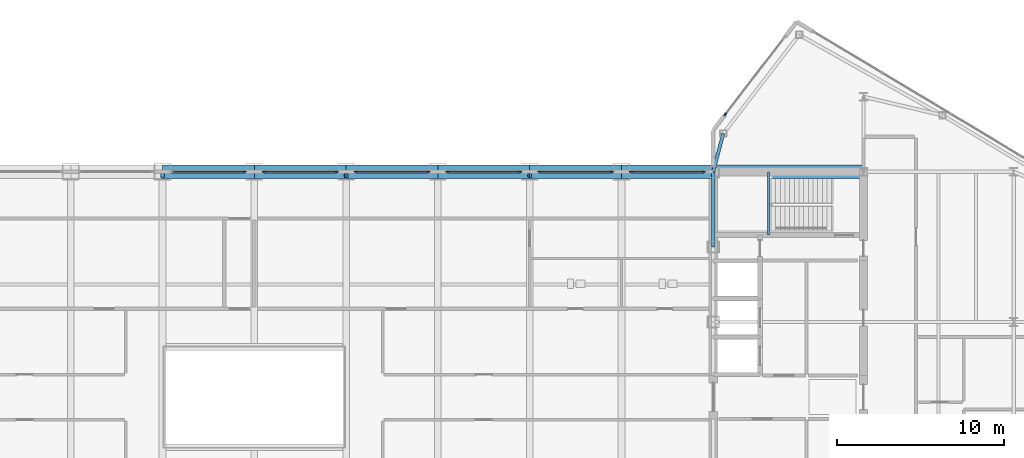
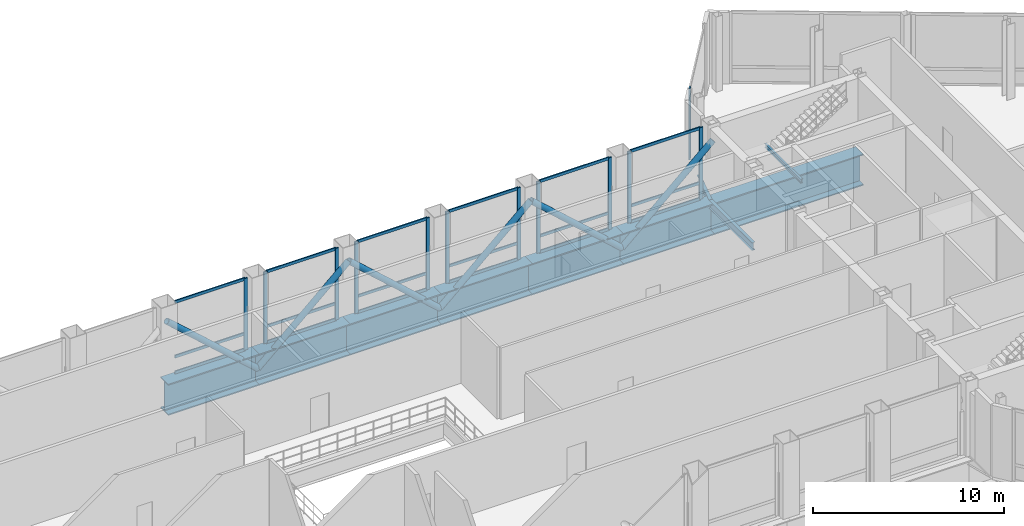
# One storey, part 16 of 30: 36 members, 10 beams, 7 elements without a shape of their own.
"""IFC4 building model written with IfcOpenShell, lengths in metres."""

from ifc_helpers import new_model, si_unit, direction, frame, origin, origin_2d, place, context, subcontext, project, spatial, rectangle, hollow_circle, i_section, extrude, source, transform, mapped, material, layer, layer_set, material_profile, profile_set, type_object, type_shapes, element, aggregate, save


model = new_model("IFC4")

# Units and contexts
model_context = context("Model", 3, precision=1e-05, world=origin(), true_north=direction((0.0, 1.0)))
body_context = subcontext(model_context, "Body", "Model", "MODEL_VIEW")
ifc_project = project(units=[si_unit("LENGTHUNIT", "METRE"), si_unit("AREAUNIT", "SQUARE_METRE"), si_unit("VOLUMEUNIT", "CUBIC_METRE"), si_unit("PLANEANGLEUNIT", "RADIAN"), si_unit("MASSUNIT", "GRAM", prefix="KILO")], contexts=[model_context])

# Site, building, storey
site_placement = place(None, origin())
site = spatial("IfcSite", under=ifc_project, at=site_placement, CompositionType="ELEMENT")
building_placement = place(site_placement, origin())
building = spatial("IfcBuilding", under=site, at=building_placement, Name="Seokmaru Belvedere", CompositionType="ELEMENT")
storey_placement = place(building_placement, frame((0.0, 0.0, 234.60009765625)))
storey = spatial("IfcBuildingStorey", under=building, at=storey_placement, Name="L62", CompositionType="ELEMENT", Elevation=234.60009765625)

# Beams
ifc_material_1 = material(Name="Steel SM355 (355 MPa)", Category="steel")
ifc_material_profile_1 = material_profile(ifc_material_1, i_section(OverallWidth=0.199951171875, OverallDepth=0.5, WebThickness=0.010009765625, FlangeThickness=0.01611328125, at=origin_2d()), Name="H-500x200x10x16")
ifc_profile_set_1 = profile_set([ifc_material_profile_1], Name="Steel SM355 (355 MPa)")
beam_type_1 = type_object("IfcBeamType", Name="Perimeter Spandrel Beam H-500", PredefinedType="SPANDREL", material=ifc_profile_set_1)
shared_shape_1 = source(origin(), body_context, "Body", "SweptSolid", [
    extrude(i_section(OverallWidth=0.199951171875, OverallDepth=0.5, WebThickness=0.010009765625, FlangeThickness=0.01611328125, at=origin_2d()), origin(), (0.0, 0.0, 1.0), 4.5),
])
beam_1_placement = place(storey_placement, frame((27.5, 9.0, -0.510009765625), z_axis=(0.0, 1.0, 0.0), x_axis=(-1.0, 0.0, 0.0)))
element("IfcBeam", 1, at=beam_1_placement, inside=storey, type_object=beam_type_1, Name="L62 E Portal Spine Spandrel 5", PredefinedType="SPANDREL", context=body_context, shape_type="MappedRepresentation", body=[
    mapped(shared_shape_1, transform((0.0, 0.0, 0.0), scale=1.0)),
])
shared_shape_2 = source(origin(), body_context, "Body", "SweptSolid", [
    extrude(i_section(OverallWidth=0.199951171875, OverallDepth=0.5, WebThickness=0.010009765625, FlangeThickness=0.01611328125, at=origin_2d()), origin(), (0.0, 0.0, 1.0), 2.373046875),
])
type_shapes(beam_type_1, [shared_shape_1, shared_shape_2])
beam_2_placement = place(storey_placement, frame((28.10009765625, 15.7958984375, -0.510009765625), z_axis=(-0.252882558842, -0.967496982648, 0.0), x_axis=(0.967496982648, -0.252882558842, 0.0)))
element("IfcBeam", 2, at=beam_2_placement, inside=storey, type_object=beam_type_1, Name="L62 E Shoulder Spine Spandrel N", PredefinedType="SPANDREL", context=body_context, shape_type="MappedRepresentation", body=[
    mapped(shared_shape_2, transform((0.0, 0.0, 0.0), scale=1.0)),
])
ifc_material_2 = material(Name="Steel HSA650 (650 MPa)", Category="steel")
ifc_material_profile_2 = material_profile(ifc_material_2, i_section(OverallWidth=0.800048828125, OverallDepth=2.0, WebThickness=0.0400390625, FlangeThickness=0.070068359375, at=origin_2d()), Name="BH-2000x800x40x70")
ifc_profile_set_2 = profile_set([ifc_material_profile_2], Name="Steel HSA650 (650 MPa)")
beam_type_2 = type_object("IfcBeamType", Name="Sky-Gate Transfer Truss Chord Girder BH-2000", PredefinedType="BEAM", material=ifc_profile_set_2)
shared_shape_3 = source(origin(), body_context, "Body", "SweptSolid", [
    extrude(i_section(OverallWidth=0.800048828125, OverallDepth=2.0, WebThickness=0.0400390625, FlangeThickness=0.070068359375, at=origin_2d()), origin(), (0.0, 0.0, 1.0), 9.0),
])
beam_3_placement = place(storey_placement, frame((27.5, 13.5, -1.260009765625), z_axis=(1.0, 0.0, 0.0), x_axis=(0.0, 1.0, 0.0)))
element("IfcBeam", 3, at=beam_3_placement, inside=storey, type_object=beam_type_2, Name="L62 Sky-Gate Transfer Truss Chord N-12", PredefinedType="BEAM", context=body_context, shape_type="MappedRepresentation", body=[
    mapped(shared_shape_3, transform((0.0, 0.0, 0.0), scale=1.0)),
])
shared_shape_4 = source(origin(), body_context, "Body", "SweptSolid", [
    extrude(i_section(OverallWidth=0.800048828125, OverallDepth=2.0, WebThickness=0.0400390625, FlangeThickness=0.070068359375, at=origin_2d()), origin(), (0.0, 0.0, 1.0), 5.5),
])
type_shapes(beam_type_2, [shared_shape_3, shared_shape_4])
for number, where, z_axis, x_axis, name in (
    (4, (-5.5, 13.5, -1.260009765625), (1.0, 0.0, 0.0), (0.0, 1.0, 0.0), "L62 Sky-Gate Transfer Truss Chord N-06"),
    (5, (0.0, 13.5, -1.260009765625), (1.0, 0.0, 0.0), (0.0, 1.0, 0.0), "L62 Sky-Gate Transfer Truss Chord N-07"),
    (6, (5.5, 13.5, -1.260009765625), (1.0, 0.0, 0.0), (0.0, 1.0, 0.0), "L62 Sky-Gate Transfer Truss Chord N-08"),
    (7, (11.0, 13.5, -1.260009765625), (1.0, 0.0, 0.0), (0.0, 1.0, 0.0), "L62 Sky-Gate Transfer Truss Chord N-09"),
    (8, (16.5, 13.5, -1.260009765625), (1.0, 0.0, 0.0), (0.0, 1.0, 0.0), "L62 Sky-Gate Transfer Truss Chord N-10"),
    (9, (22.0, 13.5, -1.260009765625), (1.0, 0.0, 0.0), (0.0, 1.0, 0.0), "L62 Sky-Gate Transfer Truss Chord N-11"),
):
    element("IfcBeam", number, at=place(storey_placement, frame(where, z_axis=z_axis, x_axis=x_axis)), inside=storey, type_object=beam_type_2, Name=name, PredefinedType="BEAM", context=body_context, shape_type="MappedRepresentation", body=[
        mapped(shared_shape_4, transform((0.0, 0.0, 0.0), scale=1.0)),
    ])

# Members
ifc_material_profile_3 = material_profile(ifc_material_2, hollow_circle(Radius=0.177734375, WallThickness=0.0126953125, at=origin_2d()), Name="CHS-355.6x12.7")
ifc_profile_set_3 = profile_set([ifc_material_profile_3], Name="Steel HSA650 (650 MPa)")
member_type_1 = type_object("IfcMemberType", Name="Sky-Gate Transfer Truss Secondary Brace CHS-356", PredefinedType="BRACE", material=ifc_profile_set_3)
shared_shape_5 = source(origin(), body_context, "Body", "SweptSolid", [
    extrude(hollow_circle(Radius=0.177734375, WallThickness=0.0126953125, at=origin_2d()), origin(), (0.0, 0.0, 1.0), 7.392822265625),
])
type_shapes(member_type_1, [shared_shape_5])
for number, where, z_axis, x_axis, name in (
    (10, (-5.5, 13.27099609375, 3.679931640625), (0.743970307126, 0.0, -0.668212677308), (0.0, 1.0, 0.0), "L62 Sky-Gate Transfer Truss Web Diagonal N-05"),
    (11, (0.0, 13.27099609375, -1.260009765625), (0.743970307126, 0.0, 0.668212677308), (0.0, 1.0, 0.0), "L62 Sky-Gate Transfer Truss Web Diagonal N-06"),
    (12, (5.5, 13.27099609375, 3.679931640625), (0.743970307126, 0.0, -0.668212677308), (0.0, 1.0, 0.0), "L62 Sky-Gate Transfer Truss Web Diagonal N-07"),
    (13, (11.0, 13.27099609375, -1.260009765625), (0.743970307126, 0.0, 0.668212677308), (0.0, 1.0, 0.0), "L62 Sky-Gate Transfer Truss Web Diagonal N-08"),
    (14, (16.5, 13.27099609375, 3.679931640625), (0.743970307126, 0.0, -0.668212677308), (0.0, 1.0, 0.0), "L62 Sky-Gate Transfer Truss Web Diagonal N-09"),
    (15, (22.0, 13.27099609375, -1.260009765625), (0.743970307126, 0.0, 0.668212677308), (0.0, 1.0, 0.0), "L62 Sky-Gate Transfer Truss Web Diagonal N-10"),
):
    element("IfcMember", number, at=place(storey_placement, frame(where, z_axis=z_axis, x_axis=x_axis)), inside=storey, type_object=member_type_1, Name=name, PredefinedType="BRACE", context=body_context, shape_type="MappedRepresentation", body=[
        mapped(shared_shape_5, transform((0.0, 0.0, 0.0), scale=1.0)),
    ])

# Curtain wall, members
ifc_material_3 = material(Name="Bronze Triple Insulating Glass", Category="glass")
ifc_layer = layer(ifc_material_3, 0.219970703125)
ifc_layer_set = layer_set([ifc_layer], Name="Bronze Triple Insulating Glass")
curtain_wall_type = type_object("IfcCurtainWallType", Name="Sky-Gate Bridge Panorama Curtain Wall System CW-6", PredefinedType="NOTDEFINED", material=ifc_layer_set)
curtain_wall_1_placement = place(storey_placement, origin())
curtain_wall_1 = element("IfcCurtainWall", 16, at=curtain_wall_1_placement, inside=storey, type_object=curtain_wall_type, Name="L62 Curtain Wall BR_N05", PredefinedType="NOTDEFINED")
ifc_material_4 = material(Name="Anodised Bronze Aluminium", Category="aluminium")
ifc_material_profile_4 = material_profile(ifc_material_4, rectangle(XDim=0.074951171875, YDim=0.179931640625, at=origin_2d()), Name="CW-T-75x180")
ifc_profile_set_4 = profile_set([ifc_material_profile_4], Name="Anodised Bronze Aluminium")
member_type_2 = type_object("IfcMemberType", Name="Bronze Unitised Transom 75x180", PredefinedType="USERDEFINED", material=ifc_profile_set_4)
shared_shape_6 = source(origin(), body_context, "Body", "SweptSolid", [
    extrude(rectangle(XDim=0.074951171875, YDim=0.179931640625, at=origin_2d()), origin(), (0.0, 0.0, 1.0), 4.240234375),
])
type_shapes(member_type_2, [shared_shape_6])
member_1_placement = place(storey_placement, frame((-0.6298828125, 13.5, 0.037353515625), z_axis=(-1.0, 0.0, 0.0), x_axis=(0.0, -1.0, 0.0)))
member_1 = element("IfcMember", 17, at=member_1_placement, type_object=member_type_2, Name="CW:L62:BR_N05 Continuous Transom 1", ObjectType="TRANSOM", PredefinedType="USERDEFINED", context=body_context, shape_type="MappedRepresentation", body=[
    mapped(shared_shape_6, transform((0.0, 0.0, 0.0), scale=1.0)),
])
member_2_placement = place(storey_placement, frame((-0.6298828125, 13.5, 4.54248046875), z_axis=(-1.0, 0.0, 0.0), x_axis=(0.0, -1.0, 0.0)))
member_2 = element("IfcMember", 18, at=member_2_placement, type_object=member_type_2, Name="CW:L62:BR_N05 Continuous Transom 2", ObjectType="TRANSOM", PredefinedType="USERDEFINED", context=body_context, shape_type="MappedRepresentation", body=[
    mapped(shared_shape_6, transform((0.0, 0.0, 0.0), scale=1.0)),
])
member_3_placement = place(storey_placement, frame((-0.6298828125, 13.5, 1.0498046875), z_axis=(-1.0, 0.0, 0.0), x_axis=(0.0, -1.0, 0.0)))
member_3 = element("IfcMember", 19, at=member_3_placement, type_object=member_type_2, Name="CW:L62:BR_N05 Spandrel Transom 1", ObjectType="TRANSOM", PredefinedType="USERDEFINED", context=body_context, shape_type="MappedRepresentation", body=[
    mapped(shared_shape_6, transform((0.0, 0.0, 0.0), scale=1.0)),
])

curtain_wall_2_placement = place(storey_placement, origin())
curtain_wall_2 = element("IfcCurtainWall", 20, at=curtain_wall_2_placement, inside=storey, type_object=curtain_wall_type, Name="L62 Curtain Wall BR_N06", PredefinedType="NOTDEFINED")
member_4_placement = place(storey_placement, frame((4.8701171875, 13.5, 0.037353515625), z_axis=(-1.0, 0.0, 0.0), x_axis=(0.0, -1.0, 0.0)))
member_4 = element("IfcMember", 21, at=member_4_placement, type_object=member_type_2, Name="CW:L62:BR_N06 Continuous Transom 1", ObjectType="TRANSOM", PredefinedType="USERDEFINED", context=body_context, shape_type="MappedRepresentation", body=[
    mapped(shared_shape_6, transform((0.0, 0.0, 0.0), scale=1.0)),
])
member_5_placement = place(storey_placement, frame((4.8701171875, 13.5, 4.54248046875), z_axis=(-1.0, 0.0, 0.0), x_axis=(0.0, -1.0, 0.0)))
member_5 = element("IfcMember", 22, at=member_5_placement, type_object=member_type_2, Name="CW:L62:BR_N06 Continuous Transom 2", ObjectType="TRANSOM", PredefinedType="USERDEFINED", context=body_context, shape_type="MappedRepresentation", body=[
    mapped(shared_shape_6, transform((0.0, 0.0, 0.0), scale=1.0)),
])
member_6_placement = place(storey_placement, frame((4.8701171875, 13.5, 1.0498046875), z_axis=(-1.0, 0.0, 0.0), x_axis=(0.0, -1.0, 0.0)))
member_6 = element("IfcMember", 23, at=member_6_placement, type_object=member_type_2, Name="CW:L62:BR_N06 Spandrel Transom 1", ObjectType="TRANSOM", PredefinedType="USERDEFINED", context=body_context, shape_type="MappedRepresentation", body=[
    mapped(shared_shape_6, transform((0.0, 0.0, 0.0), scale=1.0)),
])

curtain_wall_3_placement = place(storey_placement, origin())
curtain_wall_3 = element("IfcCurtainWall", 24, at=curtain_wall_3_placement, inside=storey, type_object=curtain_wall_type, Name="L62 Curtain Wall BR_N07", PredefinedType="NOTDEFINED")
member_7_placement = place(storey_placement, frame((10.3701171875, 13.5, 0.037353515625), z_axis=(-1.0, 0.0, 0.0), x_axis=(0.0, -1.0, 0.0)))
member_7 = element("IfcMember", 25, at=member_7_placement, type_object=member_type_2, Name="CW:L62:BR_N07 Continuous Transom 1", ObjectType="TRANSOM", PredefinedType="USERDEFINED", context=body_context, shape_type="MappedRepresentation", body=[
    mapped(shared_shape_6, transform((0.0, 0.0, 0.0), scale=1.0)),
])
member_8_placement = place(storey_placement, frame((10.3701171875, 13.5, 4.54248046875), z_axis=(-1.0, 0.0, 0.0), x_axis=(0.0, -1.0, 0.0)))
member_8 = element("IfcMember", 26, at=member_8_placement, type_object=member_type_2, Name="CW:L62:BR_N07 Continuous Transom 2", ObjectType="TRANSOM", PredefinedType="USERDEFINED", context=body_context, shape_type="MappedRepresentation", body=[
    mapped(shared_shape_6, transform((0.0, 0.0, 0.0), scale=1.0)),
])
member_9_placement = place(storey_placement, frame((10.3701171875, 13.5, 1.0498046875), z_axis=(-1.0, 0.0, 0.0), x_axis=(0.0, -1.0, 0.0)))
member_9 = element("IfcMember", 27, at=member_9_placement, type_object=member_type_2, Name="CW:L62:BR_N07 Spandrel Transom 1", ObjectType="TRANSOM", PredefinedType="USERDEFINED", context=body_context, shape_type="MappedRepresentation", body=[
    mapped(shared_shape_6, transform((0.0, 0.0, 0.0), scale=1.0)),
])

curtain_wall_4_placement = place(storey_placement, origin())
curtain_wall_4 = element("IfcCurtainWall", 28, at=curtain_wall_4_placement, inside=storey, type_object=curtain_wall_type, Name="L62 Curtain Wall BR_N08", PredefinedType="NOTDEFINED")
member_10_placement = place(storey_placement, frame((15.8701171875, 13.5, 0.037353515625), z_axis=(-1.0, 0.0, 0.0), x_axis=(0.0, -1.0, 0.0)))
member_10 = element("IfcMember", 29, at=member_10_placement, type_object=member_type_2, Name="CW:L62:BR_N08 Continuous Transom 1", ObjectType="TRANSOM", PredefinedType="USERDEFINED", context=body_context, shape_type="MappedRepresentation", body=[
    mapped(shared_shape_6, transform((0.0, 0.0, 0.0), scale=1.0)),
])
member_11_placement = place(storey_placement, frame((15.8701171875, 13.5, 4.54248046875), z_axis=(-1.0, 0.0, 0.0), x_axis=(0.0, -1.0, 0.0)))
member_11 = element("IfcMember", 30, at=member_11_placement, type_object=member_type_2, Name="CW:L62:BR_N08 Continuous Transom 2", ObjectType="TRANSOM", PredefinedType="USERDEFINED", context=body_context, shape_type="MappedRepresentation", body=[
    mapped(shared_shape_6, transform((0.0, 0.0, 0.0), scale=1.0)),
])
member_12_placement = place(storey_placement, frame((15.8701171875, 13.5, 1.0498046875), z_axis=(-1.0, 0.0, 0.0), x_axis=(0.0, -1.0, 0.0)))
member_12 = element("IfcMember", 31, at=member_12_placement, type_object=member_type_2, Name="CW:L62:BR_N08 Spandrel Transom 1", ObjectType="TRANSOM", PredefinedType="USERDEFINED", context=body_context, shape_type="MappedRepresentation", body=[
    mapped(shared_shape_6, transform((0.0, 0.0, 0.0), scale=1.0)),
])

curtain_wall_5_placement = place(storey_placement, origin())
curtain_wall_5 = element("IfcCurtainWall", 32, at=curtain_wall_5_placement, inside=storey, type_object=curtain_wall_type, Name="L62 Curtain Wall BR_N09", PredefinedType="NOTDEFINED")
member_13_placement = place(storey_placement, frame((21.3701171875, 13.5, 0.037353515625), z_axis=(-1.0, 0.0, 0.0), x_axis=(0.0, -1.0, 0.0)))
member_13 = element("IfcMember", 33, at=member_13_placement, type_object=member_type_2, Name="CW:L62:BR_N09 Continuous Transom 1", ObjectType="TRANSOM", PredefinedType="USERDEFINED", context=body_context, shape_type="MappedRepresentation", body=[
    mapped(shared_shape_6, transform((0.0, 0.0, 0.0), scale=1.0)),
])
member_14_placement = place(storey_placement, frame((21.3701171875, 13.5, 4.54248046875), z_axis=(-1.0, 0.0, 0.0), x_axis=(0.0, -1.0, 0.0)))
member_14 = element("IfcMember", 34, at=member_14_placement, type_object=member_type_2, Name="CW:L62:BR_N09 Continuous Transom 2", ObjectType="TRANSOM", PredefinedType="USERDEFINED", context=body_context, shape_type="MappedRepresentation", body=[
    mapped(shared_shape_6, transform((0.0, 0.0, 0.0), scale=1.0)),
])
member_15_placement = place(storey_placement, frame((21.3701171875, 13.5, 1.0498046875), z_axis=(-1.0, 0.0, 0.0), x_axis=(0.0, -1.0, 0.0)))
member_15 = element("IfcMember", 35, at=member_15_placement, type_object=member_type_2, Name="CW:L62:BR_N09 Spandrel Transom 1", ObjectType="TRANSOM", PredefinedType="USERDEFINED", context=body_context, shape_type="MappedRepresentation", body=[
    mapped(shared_shape_6, transform((0.0, 0.0, 0.0), scale=1.0)),
])

curtain_wall_6_placement = place(storey_placement, origin())
curtain_wall_6 = element("IfcCurtainWall", 36, at=curtain_wall_6_placement, inside=storey, type_object=curtain_wall_type, Name="L62 Curtain Wall BR_N10", PredefinedType="NOTDEFINED")
member_16_placement = place(storey_placement, frame((26.8701171875, 13.5, 0.037353515625), z_axis=(-1.0, 0.0, 0.0), x_axis=(0.0, -1.0, 0.0)))
member_16 = element("IfcMember", 37, at=member_16_placement, type_object=member_type_2, Name="CW:L62:BR_N10 Continuous Transom 1", ObjectType="TRANSOM", PredefinedType="USERDEFINED", context=body_context, shape_type="MappedRepresentation", body=[
    mapped(shared_shape_6, transform((0.0, 0.0, 0.0), scale=1.0)),
])
member_17_placement = place(storey_placement, frame((26.8701171875, 13.5, 4.54248046875), z_axis=(-1.0, 0.0, 0.0), x_axis=(0.0, -1.0, 0.0)))
member_17 = element("IfcMember", 38, at=member_17_placement, type_object=member_type_2, Name="CW:L62:BR_N10 Continuous Transom 2", ObjectType="TRANSOM", PredefinedType="USERDEFINED", context=body_context, shape_type="MappedRepresentation", body=[
    mapped(shared_shape_6, transform((0.0, 0.0, 0.0), scale=1.0)),
])
member_18_placement = place(storey_placement, frame((26.8701171875, 13.5, 1.0498046875), z_axis=(-1.0, 0.0, 0.0), x_axis=(0.0, -1.0, 0.0)))
member_18 = element("IfcMember", 39, at=member_18_placement, type_object=member_type_2, Name="CW:L62:BR_N10 Spandrel Transom 1", ObjectType="TRANSOM", PredefinedType="USERDEFINED", context=body_context, shape_type="MappedRepresentation", body=[
    mapped(shared_shape_6, transform((0.0, 0.0, 0.0), scale=1.0)),
])

# Curtain wall, member
curtain_wall_7_placement = place(storey_placement, origin())
curtain_wall_7 = element("IfcCurtainWall", 40, at=curtain_wall_7_placement, inside=storey, type_object=curtain_wall_type, Name="L62 Curtain Wall EF4", PredefinedType="NOTDEFINED")
ifc_material_profile_5 = material_profile(ifc_material_4, rectangle(XDim=0.080078125, YDim=0.219970703125, at=origin_2d()), Name="CW-M-80x220")
ifc_profile_set_5 = profile_set([ifc_material_profile_5], Name="Anodised Bronze Aluminium")
member_type_3 = type_object("IfcMemberType", Name="Bronze Unitised Mullion 80x220", PredefinedType="MULLION", material=ifc_profile_set_5)
shared_shape_7 = source(origin(), body_context, "Body", "SweptSolid", [
    extrude(rectangle(XDim=0.080078125, YDim=0.219970703125, at=origin_2d()), origin(), (0.0, 0.0, 1.0), 4.579833984375),
])
type_shapes(member_type_3, [shared_shape_7])
member_19_placement = place(storey_placement, frame((28.2255859375, 16.943115234375, 0.0), z_axis=(0.0, 0.0, 1.0), x_axis=(0.792631353244, -0.609701187349, 0.0)))
member_19 = element("IfcMember", 41, at=member_19_placement, type_object=member_type_3, Name="CW:L62:EF4 Mullion 2", PredefinedType="MULLION", context=body_context, shape_type="MappedRepresentation", body=[
    mapped(shared_shape_7, transform((0.0, 0.0, 0.0), scale=1.0)),
])
aggregate(curtain_wall_7, [member_19])

# Member
member_20_placement = place(storey_placement, frame((-0.590087890625, 13.5, 0.0), z_axis=(0.0, 0.0, 1.0), x_axis=(0.0, -1.0, 0.0)))
member_20 = element("IfcMember", 42, at=member_20_placement, type_object=member_type_3, Name="CW:L62:BR_N05 Mullion 1", PredefinedType="MULLION", context=body_context, shape_type="MappedRepresentation", body=[
    mapped(shared_shape_7, transform((0.0, 0.0, 0.0), scale=1.0)),
])

aggregate(curtain_wall_1, [member_20, member_1, member_2, member_3])

member_21_placement = place(storey_placement, frame((4.909912109375, 13.5, 0.0), z_axis=(0.0, 0.0, 1.0), x_axis=(0.0, -1.0, 0.0)))
member_21 = element("IfcMember", 43, at=member_21_placement, type_object=member_type_3, Name="CW:L62:BR_N06 Mullion 1", PredefinedType="MULLION", context=body_context, shape_type="MappedRepresentation", body=[
    mapped(shared_shape_7, transform((0.0, 0.0, 0.0), scale=1.0)),
])

member_22_placement = place(storey_placement, frame((0.590087890625, 13.5, 0.0), z_axis=(0.0, 0.0, 1.0), x_axis=(0.0, -1.0, 0.0)))
member_22 = element("IfcMember", 44, at=member_22_placement, type_object=member_type_3, Name="CW:L62:BR_N06 Mullion 2", PredefinedType="MULLION", context=body_context, shape_type="MappedRepresentation", body=[
    mapped(shared_shape_7, transform((0.0, 0.0, 0.0), scale=1.0)),
])

aggregate(curtain_wall_2, [member_21, member_22, member_4, member_5, member_6])

member_23_placement = place(storey_placement, frame((10.409912109375, 13.5, 0.0), z_axis=(0.0, 0.0, 1.0), x_axis=(0.0, -1.0, 0.0)))
member_23 = element("IfcMember", 45, at=member_23_placement, type_object=member_type_3, Name="CW:L62:BR_N07 Mullion 1", PredefinedType="MULLION", context=body_context, shape_type="MappedRepresentation", body=[
    mapped(shared_shape_7, transform((0.0, 0.0, 0.0), scale=1.0)),
])

member_24_placement = place(storey_placement, frame((6.090087890625, 13.5, 0.0), z_axis=(0.0, 0.0, 1.0), x_axis=(0.0, -1.0, 0.0)))
member_24 = element("IfcMember", 46, at=member_24_placement, type_object=member_type_3, Name="CW:L62:BR_N07 Mullion 2", PredefinedType="MULLION", context=body_context, shape_type="MappedRepresentation", body=[
    mapped(shared_shape_7, transform((0.0, 0.0, 0.0), scale=1.0)),
])

aggregate(curtain_wall_3, [member_23, member_24, member_7, member_8, member_9])

member_25_placement = place(storey_placement, frame((15.909912109375, 13.5, 0.0), z_axis=(0.0, 0.0, 1.0), x_axis=(0.0, -1.0, 0.0)))
member_25 = element("IfcMember", 47, at=member_25_placement, type_object=member_type_3, Name="CW:L62:BR_N08 Mullion 1", PredefinedType="MULLION", context=body_context, shape_type="MappedRepresentation", body=[
    mapped(shared_shape_7, transform((0.0, 0.0, 0.0), scale=1.0)),
])

member_26_placement = place(storey_placement, frame((11.590087890625, 13.5, 0.0), z_axis=(0.0, 0.0, 1.0), x_axis=(0.0, -1.0, 0.0)))
member_26 = element("IfcMember", 48, at=member_26_placement, type_object=member_type_3, Name="CW:L62:BR_N08 Mullion 2", PredefinedType="MULLION", context=body_context, shape_type="MappedRepresentation", body=[
    mapped(shared_shape_7, transform((0.0, 0.0, 0.0), scale=1.0)),
])

aggregate(curtain_wall_4, [member_25, member_26, member_10, member_11, member_12])

member_27_placement = place(storey_placement, frame((21.409912109375, 13.5, 0.0), z_axis=(0.0, 0.0, 1.0), x_axis=(0.0, -1.0, 0.0)))
member_27 = element("IfcMember", 49, at=member_27_placement, type_object=member_type_3, Name="CW:L62:BR_N09 Mullion 1", PredefinedType="MULLION", context=body_context, shape_type="MappedRepresentation", body=[
    mapped(shared_shape_7, transform((0.0, 0.0, 0.0), scale=1.0)),
])

member_28_placement = place(storey_placement, frame((17.090087890625, 13.5, 0.0), z_axis=(0.0, 0.0, 1.0), x_axis=(0.0, -1.0, 0.0)))
member_28 = element("IfcMember", 50, at=member_28_placement, type_object=member_type_3, Name="CW:L62:BR_N09 Mullion 2", PredefinedType="MULLION", context=body_context, shape_type="MappedRepresentation", body=[
    mapped(shared_shape_7, transform((0.0, 0.0, 0.0), scale=1.0)),
])

aggregate(curtain_wall_5, [member_27, member_28, member_13, member_14, member_15])

member_29_placement = place(storey_placement, frame((26.909912109375, 13.5, 0.0), z_axis=(0.0, 0.0, 1.0), x_axis=(0.0, -1.0, 0.0)))
member_29 = element("IfcMember", 51, at=member_29_placement, type_object=member_type_3, Name="CW:L62:BR_N10 Mullion 1", PredefinedType="MULLION", context=body_context, shape_type="MappedRepresentation", body=[
    mapped(shared_shape_7, transform((0.0, 0.0, 0.0), scale=1.0)),
])

member_30_placement = place(storey_placement, frame((22.590087890625, 13.5, 0.0), z_axis=(0.0, 0.0, 1.0), x_axis=(0.0, -1.0, 0.0)))
member_30 = element("IfcMember", 52, at=member_30_placement, type_object=member_type_3, Name="CW:L62:BR_N10 Mullion 2", PredefinedType="MULLION", context=body_context, shape_type="MappedRepresentation", body=[
    mapped(shared_shape_7, transform((0.0, 0.0, 0.0), scale=1.0)),
])

aggregate(curtain_wall_6, [member_29, member_30, member_16, member_17, member_18])

# Beam
ifc_material_profile_6 = material_profile(ifc_material_1, i_section(OverallWidth=0.125, OverallDepth=0.25, WebThickness=0.006103515625, FlangeThickness=0.009033203125, at=origin_2d()), Name="H-250x125x6x9")
ifc_profile_set_6 = profile_set([ifc_material_profile_6], Name="Steel SM355 (355 MPa)")
beam_type_3 = type_object("IfcBeamType", Name="Stair Mid-Landing Support Beam H-250", PredefinedType="JOIST", material=ifc_profile_set_6)
shared_shape_8 = source(origin(), body_context, "Body", "SweptSolid", [
    extrude(i_section(OverallWidth=0.125, OverallDepth=0.25, WebThickness=0.006103515625, FlangeThickness=0.009033203125, at=origin_2d()), origin(), (0.0, 0.0, 1.0), 3.800048828125),
])
type_shapes(beam_type_3, [shared_shape_8])
beam_4_placement = place(storey_placement, frame((30.81005859375, 9.699951171875, 2.074951171875), z_axis=(0.0, 1.0, 0.0), x_axis=(-1.0, 0.0, 0.0)))
element("IfcBeam", 53, at=beam_4_placement, inside=storey, type_object=beam_type_3, Name="L62 Stair ST-E2 Mid-Landing Support Beam 1", PredefinedType="JOIST", context=body_context, shape_type="MappedRepresentation", body=[
    mapped(shared_shape_8, transform((0.0, 0.0, 0.0), scale=1.0)),
])

save(model, "model.ifc")
